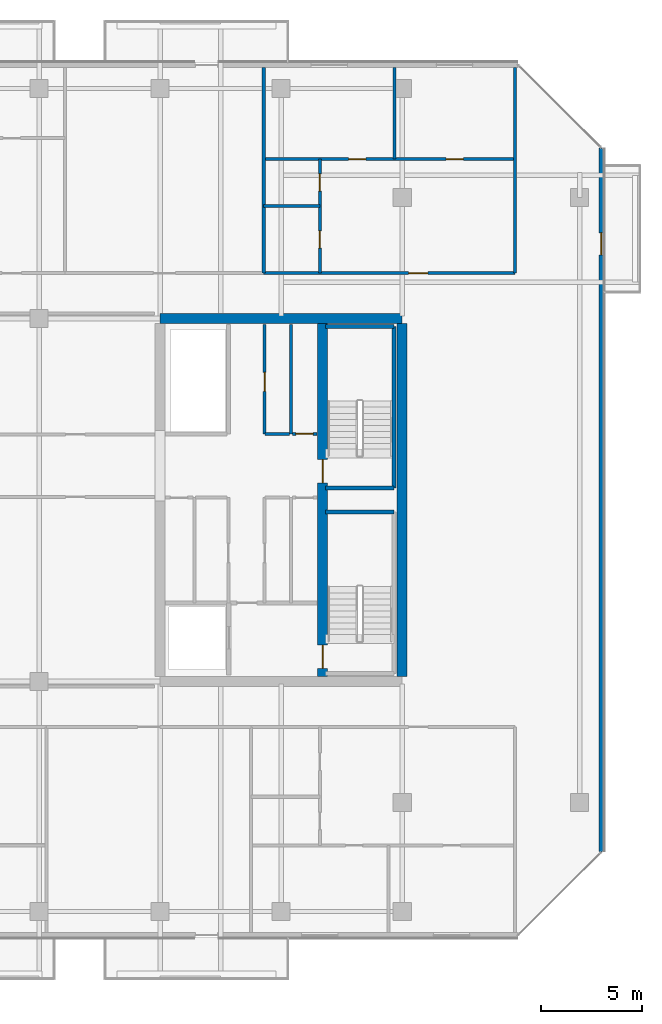
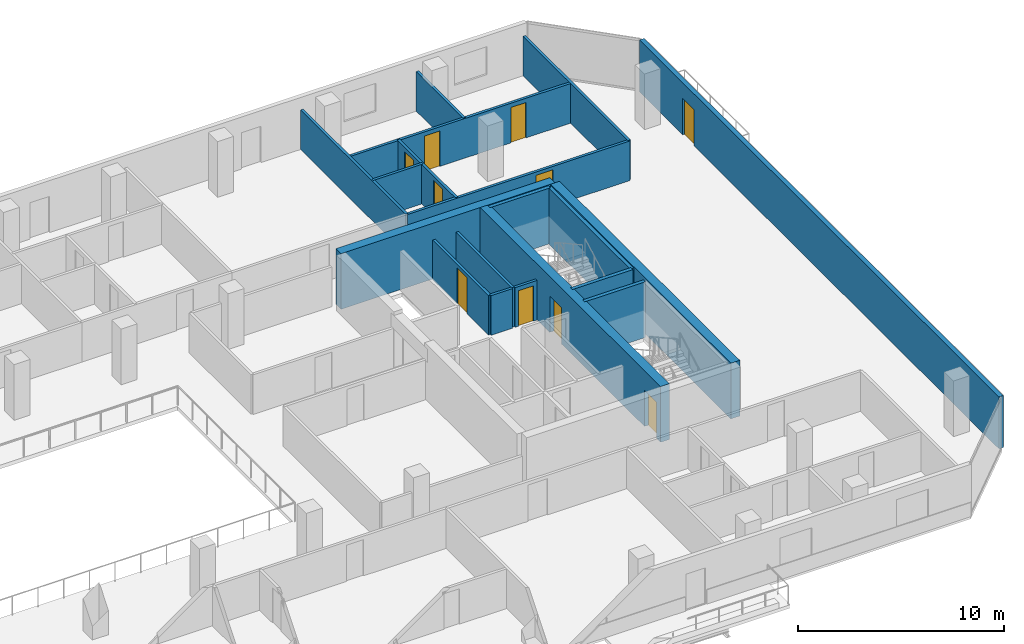
# One storey, part 24 of 29: 19 walls, 10 doors, 10 openings.
"""IFC4 building model written with IfcOpenShell, lengths in metres."""

import ifcopenshell
import ifcopenshell.guid

model = None  # the IFC model being written
_history = None  # IfcOwnerHistory: only IFC2X3 demands one
_inside = {}  # id of a spatial element -> (the spatial element, [elements in it])
_under = {}  # id of a project, library or spatial element -> (it, [spatial elements below it])
_declared = {}  # id of a project -> (the project, [libraries it declares])
_typed = {}  # id of a type object -> (the type object, [elements of that type])
_made_of = {}  # id of a material, layer set ... -> (it, [elements and type objects made of it])


def new_model(schema):
    """Start an empty IFC model of exactly this schema.

    Asked for "IFC4X3", IfcOpenShell would pick the latest addendum, in which some entities
    have other attributes; the version numbers below select the first issue.
    IFC2X3 requires an IfcOwnerHistory on every rooted entity: one is made here for all.
    """
    global model, _history
    if schema == "IFC4X3":
        model = ifcopenshell.file(schema_version=(4, 3, 0, 0))
    else:
        model = ifcopenshell.file(schema=schema)
    _inside.clear()
    _under.clear()
    _declared.clear()
    _typed.clear()
    _made_of.clear()
    _history = None
    if model.schema == "IFC2X3":
        org = make("IfcOrganization", Name="unknown")
        user = make(
            "IfcPersonAndOrganization",
            ThePerson=make("IfcPerson", FamilyName="unknown"),
            TheOrganization=org,
        )
        app = make(
            "IfcApplication",
            ApplicationDeveloper=org,
            Version="unknown",
            ApplicationFullName="unknown",
            ApplicationIdentifier="unknown",
        )
        _history = make(
            "IfcOwnerHistory",
            OwningUser=user,
            OwningApplication=app,
            ChangeAction="ADDED",
            CreationDate=0,
        )
    return model


def make(cls, **values):
    """One entity of the class cls with the attributes given. An attribute that is None is left unset."""
    return model.create_entity(
        cls, **{name: value for name, value in values.items() if value is not None}
    )


def rooted(cls, **values):
    """An entity with a GlobalId (a new one), such as an element, a storey or a relation."""
    return make(cls, GlobalId=ifcopenshell.guid.new(), OwnerHistory=_history, **values)


def si_unit(unit_type, name, prefix=None):
    """IfcSIUnit, for example si_unit("LENGTHUNIT", "METRE", prefix="MILLI")."""
    return make("IfcSIUnit", UnitType=unit_type, Prefix=prefix, Name=name)


def assignment(units):
    """IfcUnitAssignment: the units of a project."""
    return None if units is None else make("IfcUnitAssignment", Units=units)


def point(xyz):
    """IfcCartesianPoint."""
    return None if xyz is None else make("IfcCartesianPoint", Coordinates=xyz)


def direction(xyz):
    """IfcDirection."""
    return None if xyz is None else make("IfcDirection", DirectionRatios=xyz)


def frame(location, z_axis=None, x_axis=None):
    """IfcAxis2Placement3D, a coordinate frame: its origin and axes. An axis left out is left unset."""
    return make(
        "IfcAxis2Placement3D",
        Location=point(location),
        Axis=direction(z_axis),
        RefDirection=direction(x_axis),
    )


def frame_2d(location, x_axis=None):
    """IfcAxis2Placement2D, a coordinate frame in the plane: its origin and x axis."""
    return make(
        "IfcAxis2Placement2D", Location=point(location), RefDirection=direction(x_axis)
    )


def origin():
    """The frame at (0, 0, 0) with its axes left unset."""
    return frame((0.0, 0.0, 0.0))


def place(relative_to, where):
    """IfcLocalPlacement: puts the frame where relative to a parent placement (None: the world)."""
    return make(
        "IfcLocalPlacement", PlacementRelTo=relative_to, RelativePlacement=where
    )


def context(
    kind, dimensions, precision=None, world=None, true_north=None, identifier=None
):
    """IfcGeometricRepresentationContext, for example the 3D "Model" context."""
    return make(
        "IfcGeometricRepresentationContext",
        ContextIdentifier=identifier,
        ContextType=kind,
        CoordinateSpaceDimension=dimensions,
        Precision=precision,
        WorldCoordinateSystem=world,
        TrueNorth=true_north,
    )


def subcontext(parent, identifier, kind, view, scale=None):
    """IfcGeometricRepresentationSubContext, for example "Body" below "Model"."""
    return make(
        "IfcGeometricRepresentationSubContext",
        ContextIdentifier=identifier,
        ContextType=kind,
        ParentContext=parent,
        TargetScale=scale,
        TargetView=view,
    )


def project(units=None, contexts=None):
    """IfcProject with its units and contexts."""
    return rooted(
        "IfcProject",
        Name="project",
        RepresentationContexts=contexts,
        UnitsInContext=assignment(units),
    )


def spatial(cls, under=None, at=None, **own):
    """A site, building, storey or space (cls), placed at a placement, below another one or the project."""
    s = rooted(cls, ObjectPlacement=at, **own)
    if under is not None:
        _under.setdefault(under.id(), (under, []))[1].append(s)
    return s


def profile(cls, at=None, kind="AREA", **sizes):
    """A parametric profile (cls). Its sizes go by their IFC names, for example OverallWidth=200.0."""
    return make(cls, ProfileType=kind, Position=at, **sizes)


def rectangle(**sizes):
    """IfcRectangleProfileDef."""
    return profile("IfcRectangleProfileDef", **sizes)


def extrude(swept, where, along, depth):
    """IfcExtrudedAreaSolid: the profile swept, set in the frame where, extruded along a direction by depth."""
    return make(
        "IfcExtrudedAreaSolid",
        SweptArea=swept,
        Position=where,
        ExtrudedDirection=direction(along),
        Depth=depth,
    )


def shape(context_of_items, identifier, shape_type, items):
    """IfcShapeRepresentation: the items that make up one representation, for example the "Body"."""
    return make(
        "IfcShapeRepresentation",
        ContextOfItems=context_of_items,
        RepresentationIdentifier=identifier,
        RepresentationType=shape_type,
        Items=items,
    )


def material(Name=None, Category=None):
    """IfcMaterial."""
    return make("IfcMaterial", Name=Name, Category=Category)


def layer(
    of_material, thickness, ventilated=None, Name=None, Category=None, Priority=None
):
    """IfcMaterialLayer: one layer of a wall or slab, of a material (None: an air gap)."""
    return make(
        "IfcMaterialLayer",
        Material=of_material,
        LayerThickness=thickness,
        IsVentilated=ventilated,
        Name=Name,
        Category=Category,
        Priority=Priority,
    )


def layer_set(layers, Name=None):
    """IfcMaterialLayerSet."""
    return make("IfcMaterialLayerSet", MaterialLayers=layers, LayerSetName=Name)


def made_of(thing, what):
    """Note that an element or type object is made of a material, layer set ...; save() writes the relation."""
    if what is not None:
        _made_of.setdefault(what.id(), (what, []))[1].append(thing)
    return thing


def type_object(cls, material=None, **own):
    """A type object (cls), such as IfcWallType, which elements share."""
    return made_of(rooted(cls, **own), material)


def element(
    cls,
    number,
    at=None,
    inside=None,
    cuts=None,
    type_object=None,
    material=None,
    context=None,
    identifier="Body",
    shape_type=None,
    held_by="IfcProductDefinitionShape",
    body=None,
    shapes=None,
    **own,
):
    """One element of the class cls, such as IfcWall. Its Tag is "e" and its number.

    at: its placement. inside: the storey or other place that contains it. cuts: it is an
    opening in that element (IfcRelVoidsElement). A single representation is given by context,
    identifier, shape_type and body (its items); several are given by shapes. held_by: the class
    of the entity that holds the representations. save() writes the other relations.
    """
    e = rooted(cls, Tag="e%d" % number, ObjectPlacement=at, **own)
    if body is not None:
        shapes = [shape(context, identifier, shape_type, body)]
    if shapes is not None:
        e.Representation = make(held_by, Representations=shapes)
    if inside is not None:
        _inside.setdefault(inside.id(), (inside, []))[1].append(e)
    if cuts is not None:
        rooted(
            "IfcRelVoidsElement", RelatingBuildingElement=cuts, RelatedOpeningElement=e
        )
    if type_object is not None:
        _typed.setdefault(type_object.id(), (type_object, []))[1].append(e)
    return made_of(e, material)


def fill(opening, filler):
    """IfcRelFillsElement: the door or window that sits in an opening."""
    return rooted(
        "IfcRelFillsElement",
        RelatingOpeningElement=opening,
        RelatedBuildingElement=filler,
    )


def aggregate(whole, parts):
    """IfcRelAggregates: a whole, such as a stair, and the parts it consists of."""
    return rooted("IfcRelAggregates", RelatingObject=whole, RelatedObjects=parts)


def save(model, path):
    """Write the relations noted so far, then the file.

    IfcRelAggregates (storeys below a building ...), IfcRelContainedInSpatialStructure (elements
    in a storey), IfcRelDefinesByType, IfcRelAssociatesMaterial and IfcRelDeclares: one each for
    every whole, place, type object, material and project.
    """
    for whole, parts in _under.values():
        aggregate(whole, parts)
    for where, things in _inside.values():
        rooted(
            "IfcRelContainedInSpatialStructure",
            RelatedElements=things,
            RelatingStructure=where,
        )
    for kind, things in _typed.values():
        rooted("IfcRelDefinesByType", RelatedObjects=things, RelatingType=kind)
    for what, things in _made_of.values():
        rooted("IfcRelAssociatesMaterial", RelatedObjects=things, RelatingMaterial=what)
    for by, libraries in _declared.values():
        rooted("IfcRelDeclares", RelatingContext=by, RelatedDefinitions=libraries)
    model.write(path)


model = new_model("IFC4")

# Units and contexts
model_context = context("Model", 3, precision=1e-05, world=origin(), true_north=direction((0.0, 1.0)))
body_context = subcontext(model_context, "Body", "Model", "MODEL_VIEW")
ifc_project = project(units=[si_unit("LENGTHUNIT", "METRE"), si_unit("AREAUNIT", "SQUARE_METRE"), si_unit("VOLUMEUNIT", "CUBIC_METRE"), si_unit("PLANEANGLEUNIT", "RADIAN"), si_unit("MASSUNIT", "GRAM", prefix="KILO")], contexts=[model_context])

# Site, building, storey
site_placement = place(None, origin())
site = spatial("IfcSite", under=ifc_project, at=site_placement, CompositionType="ELEMENT")
building_placement = place(site_placement, origin())
building = spatial("IfcBuilding", under=site, at=building_placement, Name="Tanjung Sevakor Pilgrim Tower", CompositionType="ELEMENT")
storey_placement = place(building_placement, frame((0.0, 0.0, 151.800048828125)))
storey = spatial("IfcBuildingStorey", under=building, at=storey_placement, Name="L42", CompositionType="ELEMENT", Elevation=151.800048828125)

# Walls
ifc_material_1 = material(Name="Concrete C60/75", Category="concrete")
ifc_layer_1 = layer(ifc_material_1, 0.5)
ifc_layer_set_1 = layer_set([ifc_layer_1], Name="WALL-CW-500")
wall_type_1 = type_object("IfcWallType", Name="WALL-CW-500", PredefinedType="SHEAR", material=ifc_layer_set_1)
wall_1_placement = place(storey_placement, frame((90.0, 42.60009765625, 0.0), z_axis=(0.0, 0.0, 1.0), x_axis=(-1.0, 0.0, 0.0)))
element("IfcWall", 1, at=wall_1_placement, inside=storey, type_object=wall_type_1, Name="L42 E Core North Shear Wall", PredefinedType="SHEAR", context=body_context, shape_type="SweptSolid", body=[
    extrude(rectangle(XDim=12.0, YDim=0.5, at=frame_2d((6.0, 0.0))), origin(), (0.0, 0.0, 1.0), 3.300048828125),
])
wall_2_placement = place(storey_placement, frame((90.0, 24.85009765625, 0.0), z_axis=(0.0, 0.0, 1.0), x_axis=(0.0, 1.0, 0.0)))
element("IfcWall", 2, at=wall_2_placement, inside=storey, type_object=wall_type_1, Name="L42 E Core Outer Shear Wall", PredefinedType="SHEAR", context=body_context, shape_type="SweptSolid", body=[
    extrude(rectangle(XDim=17.5, YDim=0.5, at=frame_2d((8.75, 0.0))), origin(), (0.0, 0.0, 1.0), 3.300048828125),
])

# Wall, openings, doors
wall_3_placement = place(storey_placement, frame((86.050048828125, 24.85009765625, 0.0), z_axis=(0.0, 0.0, 1.0), x_axis=(0.0, 1.0, 0.0)))
wall_3 = element("IfcWall", 3, at=wall_3_placement, inside=storey, type_object=wall_type_1, Name="L42 E Core Stair Spine Wall", PredefinedType="SHEAR", context=body_context, shape_type="SweptSolid", body=[
    extrude(rectangle(XDim=17.5, YDim=0.5, at=frame_2d((8.75, 0.0))), origin(), (0.0, 0.0, 1.0), 3.300048828125),
])
opening_1_placement = place(wall_3_placement, frame((0.39990234375, 0.0, 0.0)))
opening_1 = element("IfcOpeningElement", 4, at=opening_1_placement, cuts=wall_3, Name="Opening ID-ST1", PredefinedType="OPENING", context=body_context, shape_type="SweptSolid", body=[
    extrude(rectangle(XDim=1.14990234375, YDim=2.14990234375, at=frame_2d((0.574951171875, 1.074951171875))), frame((0.0, 0.260009765625, 0.0), z_axis=(0.0, -1.0, 0.0), x_axis=(1.0, 0.0, 0.0)), (0.0, 0.0, 1.0), 0.52001953125),
])
opening_2_placement = place(wall_3_placement, frame((9.60009765625, 0.0, 0.0)))
opening_2 = element("IfcOpeningElement", 5, at=opening_2_placement, cuts=wall_3, Name="Opening ID-ST1", PredefinedType="OPENING", context=body_context, shape_type="SweptSolid", body=[
    extrude(rectangle(XDim=1.14990234375, YDim=2.14990234375, at=frame_2d((0.574951171875, 1.074951171875))), frame((0.0, 0.260009765625, 0.0), z_axis=(0.0, -1.0, 0.0), x_axis=(1.0, 0.0, 0.0)), (0.0, 0.0, 1.0), 0.52001953125),
])
ifc_material_2 = material(Name="Fire-Rated Steel S355J2", Category="steel")
door_type_1 = type_object("IfcDoorType", Name="DT-FIRE-1150", OperationType="NOTDEFINED", PredefinedType="DOOR", material=ifc_material_2)
door_1_placement = place(opening_1_placement, origin())
door_1 = element("IfcDoor", 6, at=door_1_placement, inside=storey, type_object=door_type_1, Name="L42 TS-E1 Stair Fire Door", OperationType="SINGLE_SWING_RIGHT", OverallHeight=2.14990234375, OverallWidth=1.14990234375, PredefinedType="DOOR", context=body_context, shape_type="SweptSolid", body=[
    extrude(rectangle(XDim=1.14990234375, YDim=2.14990234375, at=frame_2d((0.574951171875, 1.074951171875))), frame((0.0, 0.02490234375, 0.0), z_axis=(0.0, -1.0, 0.0), x_axis=(1.0, 0.0, 0.0)), (0.0, 0.0, 1.0), 0.050048828125),
])
fill(opening_1, door_1)
door_2_placement = place(opening_2_placement, origin())
door_2 = element("IfcDoor", 7, at=door_2_placement, inside=storey, type_object=door_type_1, Name="L42 TS-E2 Stair Fire Door", OperationType="SINGLE_SWING_LEFT", OverallHeight=2.14990234375, OverallWidth=1.14990234375, PredefinedType="DOOR", context=body_context, shape_type="SweptSolid", body=[
    extrude(rectangle(XDim=1.14990234375, YDim=2.14990234375, at=frame_2d((0.574951171875, 1.074951171875))), frame((0.0, 0.02490234375, 0.0), z_axis=(0.0, -1.0, 0.0), x_axis=(1.0, 0.0, 0.0)), (0.0, 0.0, 1.0), 0.050048828125),
])
fill(opening_2, door_2)

# Wall
ifc_material_3 = material(Name="Concrete C40/50", Category="concrete")
ifc_layer_2 = layer(ifc_material_3, 0.14990234375)
ifc_layer_set_2 = layer_set([ifc_layer_2], Name="WT-COMP-150")
wall_type_2 = type_object("IfcWallType", Name="WT-COMP-150", PredefinedType="SOLIDWALL", material=ifc_layer_set_2)
wall_4_placement = place(storey_placement, frame((84.47998046875, 36.8798828125, 0.0), z_axis=(0.0, 0.0, 1.0), x_axis=(0.0, 1.0, 0.0)))
element("IfcWall", 8, at=wall_4_placement, inside=storey, type_object=wall_type_2, Name="L42 Partition IW-L42-027", PredefinedType="SOLIDWALL", context=body_context, shape_type="SweptSolid", body=[
    extrude(rectangle(XDim=5.420166015625, YDim=0.14990234375, at=frame_2d((2.7099609375, 0.0))), origin(), (0.0, 0.0, 1.0), 2.35009765625),
])

# Wall, opening, door
wall_5_placement = place(storey_placement, frame((84.550048828125, 36.8798828125, 0.0), z_axis=(0.0, 0.0, 1.0), x_axis=(1.0, 0.0, 0.0)))
wall_5 = element("IfcWall", 9, at=wall_5_placement, inside=storey, type_object=wall_type_2, Name="L42 Partition IW-L42-028", PredefinedType="SOLIDWALL", context=body_context, shape_type="SweptSolid", body=[
    extrude(rectangle(XDim=1.22998046875, YDim=0.14990234375, at=frame_2d((0.614990234375, 0.0))), origin(), (0.0, 0.0, 1.0), 2.35009765625),
])
opening_3_placement = place(wall_5_placement, frame((0.179931640625, 0.0, 0.0)))
opening_3 = element("IfcOpeningElement", 10, at=opening_3_placement, cuts=wall_5, Name="Opening ID-FD3", PredefinedType="OPENING", context=body_context, shape_type="SweptSolid", body=[
    extrude(rectangle(XDim=0.85009765625, YDim=2.10009765625, at=frame_2d((0.425048828125, 1.050048828125))), frame((0.0, 0.0849609375, 0.0), z_axis=(0.0, -1.0, 0.0), x_axis=(1.0, 0.0, 0.0)), (0.0, 0.0, 1.0), 0.169921875),
])
ifc_material_4 = material(Name="Fire-Rated Timber", Category="wood")
door_type_2 = type_object("IfcDoorType", Name="DT-FIRE-850", OperationType="NOTDEFINED", PredefinedType="DOOR", material=ifc_material_4)
door_3_placement = place(opening_3_placement, origin())
door_3 = element("IfcDoor", 11, at=door_3_placement, inside=storey, type_object=door_type_2, Name="L42 Service Store Door", OperationType="SINGLE_SWING_LEFT", OverallHeight=2.10009765625, OverallWidth=0.85009765625, PredefinedType="DOOR", context=body_context, shape_type="SweptSolid", body=[
    extrude(rectangle(XDim=0.85009765625, YDim=2.10009765625, at=frame_2d((0.425048828125, 1.050048828125))), frame((0.0, 0.02490234375, 0.0), z_axis=(0.0, -1.0, 0.0), x_axis=(1.0, 0.0, 0.0)), (0.0, 0.0, 1.0), 0.050048828125),
])
fill(opening_3, door_3)

# Wall
wall_6_placement = place(storey_placement, frame((83.199951171875, 36.8798828125, 0.0), z_axis=(0.0, 0.0, 1.0), x_axis=(1.0, 0.0, 0.0)))
element("IfcWall", 12, at=wall_6_placement, inside=storey, type_object=wall_type_2, Name="L42 Partition IW-L42-029", PredefinedType="SOLIDWALL", context=body_context, shape_type="SweptSolid", body=[
    extrude(rectangle(XDim=1.219970703125, YDim=0.14990234375, at=frame_2d((0.60986328125, 0.0))), origin(), (0.0, 0.0, 1.0), 2.35009765625),
])

# Wall, opening, door
wall_7_placement = place(storey_placement, frame((83.179931640625, 36.8798828125, 0.0), z_axis=(0.0, 0.0, 1.0), x_axis=(0.0, 1.0, 0.0)))
wall_7 = element("IfcWall", 13, at=wall_7_placement, inside=storey, type_object=wall_type_2, Name="L42 Partition IW-L42-030", PredefinedType="SOLIDWALL", context=body_context, shape_type="SweptSolid", body=[
    extrude(rectangle(XDim=5.420166015625, YDim=0.14990234375, at=frame_2d((2.7099609375, 0.0))), origin(), (0.0, 0.0, 1.0), 2.35009765625),
])
opening_4_placement = place(wall_7_placement, frame((2.10009765625, 0.0, 0.0)))
opening_4 = element("IfcOpeningElement", 14, at=opening_4_placement, cuts=wall_7, Name="Opening ID-FD2", PredefinedType="OPENING", context=body_context, shape_type="SweptSolid", body=[
    extrude(rectangle(XDim=0.949951171875, YDim=2.14990234375, at=frame_2d((0.47509765625, 1.074951171875))), frame((0.0, 0.0849609375, 0.0), z_axis=(0.0, -1.0, 0.0), x_axis=(1.0, 0.0, 0.0)), (0.0, 0.0, 1.0), 0.169921875),
])
ifc_material_5 = material(Name="Fire-Rated Timber", Category="wood")
door_type_3 = type_object("IfcDoorType", Name="DT-FIRE-950", OperationType="NOTDEFINED", PredefinedType="DOOR", material=ifc_material_5)
door_4_placement = place(opening_4_placement, origin())
door_4 = element("IfcDoor", 15, at=door_4_placement, inside=storey, type_object=door_type_3, Name="L42 Core Reading Room Door", OperationType="SINGLE_SWING_RIGHT", OverallHeight=2.14990234375, OverallWidth=0.949951171875, PredefinedType="DOOR", context=body_context, shape_type="SweptSolid", body=[
    extrude(rectangle(XDim=0.949951171875, YDim=2.14990234375, at=frame_2d((0.47509765625, 1.074951171875))), frame((0.0, 0.02490234375, 0.0), z_axis=(0.0, -1.0, 0.0), x_axis=(1.0, 0.0, 0.0)), (0.0, 0.0, 1.0), 0.050048828125),
])
fill(opening_4, door_4)

# Walls
for number, where, z_axis, x_axis, name in (
    (16, (95.60009765625, 44.85009765625, 0.0), (0.0, 0.0, 1.0), (0.0, 1.0, 0.0), "L42 Partition IW-L42-089"),
    (17, (83.1357421875, 44.85009765625, 0.0), (0.0, 0.0, 1.0), (0.0, 1.0, 0.0), "L42 Partition IW-L42-101"),
):
    element("IfcWall", number, at=place(storey_placement, frame(where, z_axis=z_axis, x_axis=x_axis)), inside=storey, type_object=wall_type_2, Name=name, PredefinedType="SOLIDWALL", context=body_context, shape_type="SweptSolid", body=[
        extrude(rectangle(XDim=10.199951171875, YDim=0.14990234375, at=frame_2d((5.10009765625, 0.0))), origin(), (0.0, 0.0, 1.0), 2.35009765625),
    ])

# Wall, opening, door
wall_8_placement = place(storey_placement, frame((83.1357421875, 44.85009765625, 0.0), z_axis=(0.0, 0.0, 1.0), x_axis=(1.0, 0.0, 0.0)))
wall_8 = element("IfcWall", 18, at=wall_8_placement, inside=storey, type_object=wall_type_2, Name="L42 Partition IW-L42-107", PredefinedType="SOLIDWALL", context=body_context, shape_type="SweptSolid", body=[
    extrude(rectangle(XDim=12.46435546875, YDim=0.14990234375, at=frame_2d((6.232177734375, 0.0))), origin(), (0.0, 0.0, 1.0), 2.35009765625),
])
opening_5_placement = place(wall_8_placement, frame((7.189208984375, 0.0, 0.0)))
opening_5 = element("IfcOpeningElement", 19, at=opening_5_placement, cuts=wall_8, Name="Opening ID-FD2", PredefinedType="OPENING", context=body_context, shape_type="SweptSolid", body=[
    extrude(rectangle(XDim=0.949951171875, YDim=2.14990234375, at=frame_2d((0.47509765625, 1.074951171875))), frame((0.0, 0.0849609375, 0.0), z_axis=(0.0, -1.0, 0.0), x_axis=(1.0, 0.0, 0.0)), (0.0, 0.0, 1.0), 0.169921875),
])
door_5_placement = place(opening_5_placement, origin())
door_5 = element("IfcDoor", 20, at=door_5_placement, inside=storey, type_object=door_type_3, Name="Suite Entrance", OperationType="SINGLE_SWING_LEFT", OverallHeight=2.14990234375, OverallWidth=0.949951171875, PredefinedType="DOOR", context=body_context, shape_type="SweptSolid", body=[
    extrude(rectangle(XDim=0.949951171875, YDim=2.14990234375, at=frame_2d((0.47509765625, 1.074951171875))), frame((0.0, 0.02490234375, 0.0), z_axis=(0.0, -1.0, 0.0), x_axis=(1.0, 0.0, 0.0)), (0.0, 0.0, 1.0), 0.050048828125),
])
fill(opening_5, door_5)

ifc_material_6 = material(Name="Precast concrete C45/55", Category="concrete")
ifc_layer_3 = layer(ifc_material_6, 0.25)
ifc_layer_set_3 = layer_set([ifc_layer_3], Name="WT-EW-STN3")
wall_type_3 = type_object("IfcWallType", Name="WT-EW-STN3", PredefinedType="SOLIDWALL", material=ifc_layer_set_3)
wall_9_placement = place(storey_placement, frame((99.875, 16.15185546875, 0.0), z_axis=(0.0, 0.0, 1.0), x_axis=(0.0, 1.0, 0.0)))
wall_9 = element("IfcWall", 21, at=wall_9_placement, inside=storey, type_object=wall_type_3, Name="L42 MAIN Exterior Wall 7", PredefinedType="SOLIDWALL", context=body_context, shape_type="SweptSolid", body=[
    extrude(rectangle(XDim=34.896240234375, YDim=0.25, at=frame_2d((17.4482421875, 0.0))), origin(), (0.0, 0.0, 1.0), 3.080078125),
])
opening_6_placement = place(wall_9_placement, frame((29.59814453125, 0.0, 0.0)))
opening_6 = element("IfcOpeningElement", 22, at=opening_6_placement, cuts=wall_9, Name="Opening ED-BAL-1100", PredefinedType="OPENING", context=body_context, shape_type="SweptSolid", body=[
    extrude(rectangle(XDim=1.10009765625, YDim=2.14990234375, at=frame_2d((0.550048828125, 1.074951171875))), frame((0.0, 0.135009765625, 0.0), z_axis=(0.0, -1.0, 0.0), x_axis=(1.0, 0.0, 0.0)), (0.0, 0.0, 1.0), 0.27001953125),
])
ifc_material_7 = material(Name="Anodised Aluminium and Laminated Glass", Category="aluminium")
door_type_4 = type_object("IfcDoorType", Name="DTYP-ED-BAL-1100", OperationType="NOTDEFINED", PredefinedType="DOOR", material=ifc_material_7)
door_6_placement = place(opening_6_placement, frame((1.10009765625, 0.0, 0.0), z_axis=(0.0, 0.0, 1.0), x_axis=(-1.0, 0.0, 0.0)))
door_6 = element("IfcDoor", 23, at=door_6_placement, inside=storey, type_object=door_type_4, Name="L42 East Loggia Door MAIN-E1", OperationType="SINGLE_SWING_LEFT", OverallHeight=2.14990234375, OverallWidth=1.10009765625, PredefinedType="DOOR", context=body_context, shape_type="SweptSolid", body=[
    extrude(rectangle(XDim=1.10009765625, YDim=2.14990234375, at=frame_2d((0.550048828125, 1.074951171875))), frame((0.0, 0.02490234375, 0.0), z_axis=(0.0, -1.0, 0.0), x_axis=(1.0, 0.0, 0.0)), (0.0, 0.0, 1.0), 0.050048828125),
])
fill(opening_6, door_6)

# Walls
ifc_material_8 = material(Name="Concrete C40/50", Category="concrete")
ifc_layer_4 = layer(ifc_material_8, 0.199951171875)
ifc_layer_set_4 = layer_set([ifc_layer_4], Name="WT-FIRE-200")
wall_type_4 = type_object("IfcWallType", Name="WT-FIRE-200", PredefinedType="SOLIDWALL", material=ifc_layer_set_4)
for number, where, z_axis, x_axis, name in (
    (24, (89.60009765625, 33.0, 0.0), (0.0, 0.0, 1.0), (-1.0, 0.0, 0.0), "L42 TS-E1 Shaft Wall 3"),
    (25, (86.199951171875, 34.199951171875, 0.0), (0.0, 0.0, 1.0), (1.0, 0.0, 0.0), "L42 TS-E2 Shaft Wall 1"),
):
    element("IfcWall", number, at=place(storey_placement, frame(where, z_axis=z_axis, x_axis=x_axis)), inside=storey, type_object=wall_type_4, Name=name, PredefinedType="SOLIDWALL", context=body_context, shape_type="SweptSolid", body=[
        extrude(rectangle(XDim=3.400146484375, YDim=0.199951171875, at=frame_2d((1.7001953125, 0.0))), origin(), (0.0, 0.0, 1.0), 3.300048828125),
    ])
wall_10_placement = place(storey_placement, frame((89.60009765625, 34.199951171875, 0.0), z_axis=(0.0, 0.0, 1.0), x_axis=(0.0, 1.0, 0.0)))
element("IfcWall", 26, at=wall_10_placement, inside=storey, type_object=wall_type_4, Name="L42 TS-E2 Shaft Wall 2", PredefinedType="SOLIDWALL", context=body_context, shape_type="SweptSolid", body=[
    extrude(rectangle(XDim=8.0, YDim=0.199951171875, at=frame_2d((4.0, 0.0))), origin(), (0.0, 0.0, 1.0), 3.300048828125),
])
wall_11_placement = place(storey_placement, frame((89.60009765625, 42.199951171875, 0.0), z_axis=(0.0, 0.0, 1.0), x_axis=(-1.0, 0.0, 0.0)))
element("IfcWall", 27, at=wall_11_placement, inside=storey, type_object=wall_type_4, Name="L42 TS-E2 Shaft Wall 3", PredefinedType="SOLIDWALL", context=body_context, shape_type="SweptSolid", body=[
    extrude(rectangle(XDim=3.400146484375, YDim=0.199951171875, at=frame_2d((1.7001953125, 0.0))), origin(), (0.0, 0.0, 1.0), 3.300048828125),
])
ifc_material_9 = material(Name="Gypsum Board Partition", Category="gypsum board")
ifc_layer_5 = layer(ifc_material_9, 0.14990234375)
ifc_layer_set_5 = layer_set([ifc_layer_5], Name="WT-PART-150")
wall_type_5 = type_object("IfcWallType", Name="WT-PART-150", PredefinedType="PARTITIONING", material=ifc_layer_set_5)
wall_12_placement = place(storey_placement, frame((83.1357421875, 48.1826171875, 0.0), z_axis=(0.0, 0.0, 1.0), x_axis=(1.0, 0.0, 0.0)))
element("IfcWall", 28, at=wall_12_placement, inside=storey, type_object=wall_type_5, Name="L42 Partition IW-L42-103", PredefinedType="PARTITIONING", context=body_context, shape_type="SweptSolid", body=[
    extrude(rectangle(XDim=2.7841796875, YDim=0.14990234375, at=frame_2d((1.39208984375, 0.0))), origin(), (0.0, 0.0, 1.0), 2.35009765625),
])

# Wall, openings, doors
wall_13_placement = place(storey_placement, frame((85.919921875, 44.85009765625, 0.0), z_axis=(0.0, 0.0, 1.0), x_axis=(0.0, 1.0, 0.0)))
wall_13 = element("IfcWall", 29, at=wall_13_placement, inside=storey, type_object=wall_type_5, Name="L42 Partition IW-L42-104", PredefinedType="PARTITIONING", context=body_context, shape_type="SweptSolid", body=[
    extrude(rectangle(XDim=5.6484375, YDim=0.14990234375, at=frame_2d((2.82421875, 0.0))), origin(), (0.0, 0.0, 1.0), 2.35009765625),
])
opening_7_placement = place(wall_13_placement, frame((1.2412109375, 0.0, 0.0)))
opening_7 = element("IfcOpeningElement", 30, at=opening_7_placement, cuts=wall_13, Name="Opening ID-WC1", PredefinedType="OPENING", context=body_context, shape_type="SweptSolid", body=[
    extrude(rectangle(XDim=0.85009765625, YDim=2.10009765625, at=frame_2d((0.425048828125, 1.050048828125))), frame((0.0, 0.0849609375, 0.0), z_axis=(0.0, -1.0, 0.0), x_axis=(1.0, 0.0, 0.0)), (0.0, 0.0, 1.0), 0.169921875),
])
opening_8_placement = place(wall_13_placement, frame((4.0654296875, 0.0, 0.0)))
opening_8 = element("IfcOpeningElement", 31, at=opening_8_placement, cuts=wall_13, Name="Opening ID-WC1", PredefinedType="OPENING", context=body_context, shape_type="SweptSolid", body=[
    extrude(rectangle(XDim=0.85009765625, YDim=2.10009765625, at=frame_2d((0.425048828125, 1.050048828125))), frame((0.0, 0.0849609375, 0.0), z_axis=(0.0, -1.0, 0.0), x_axis=(1.0, 0.0, 0.0)), (0.0, 0.0, 1.0), 0.169921875),
])
ifc_material_10 = material(Name="Moisture-Resistant Timber", Category="wood")
door_type_5 = type_object("IfcDoorType", Name="DT-INT-850", OperationType="NOTDEFINED", PredefinedType="DOOR", material=ifc_material_10)
door_7_placement = place(opening_7_placement, origin())
door_7 = element("IfcDoor", 32, at=door_7_placement, inside=storey, type_object=door_type_5, Name="Suite Kitchenette Door", OperationType="SINGLE_SWING_LEFT", OverallHeight=2.10009765625, OverallWidth=0.85009765625, PredefinedType="DOOR", context=body_context, shape_type="SweptSolid", body=[
    extrude(rectangle(XDim=0.85009765625, YDim=2.10009765625, at=frame_2d((0.425048828125, 1.050048828125))), frame((0.0, 0.02490234375, 0.0), z_axis=(0.0, -1.0, 0.0), x_axis=(1.0, 0.0, 0.0)), (0.0, 0.0, 1.0), 0.050048828125),
])
fill(opening_7, door_7)
door_8_placement = place(opening_8_placement, origin())
door_8 = element("IfcDoor", 33, at=door_8_placement, inside=storey, type_object=door_type_5, Name="Suite Bathroom Door", OperationType="SINGLE_SWING_RIGHT", OverallHeight=2.10009765625, OverallWidth=0.85009765625, PredefinedType="DOOR", context=body_context, shape_type="SweptSolid", body=[
    extrude(rectangle(XDim=0.85009765625, YDim=2.10009765625, at=frame_2d((0.425048828125, 1.050048828125))), frame((0.0, 0.02490234375, 0.0), z_axis=(0.0, -1.0, 0.0), x_axis=(1.0, 0.0, 0.0)), (0.0, 0.0, 1.0), 0.050048828125),
])
fill(opening_8, door_8)

# Wall
wall_14_placement = place(storey_placement, frame((89.6171875, 50.49853515625, 0.0), z_axis=(0.0, 0.0, 1.0), x_axis=(0.0, 1.0, 0.0)))
element("IfcWall", 34, at=wall_14_placement, inside=storey, type_object=wall_type_5, Name="L42 Partition IW-L42-105", PredefinedType="PARTITIONING", context=body_context, shape_type="SweptSolid", body=[
    extrude(rectangle(XDim=4.551513671875, YDim=0.14990234375, at=frame_2d((2.27587890625, 0.0))), origin(), (0.0, 0.0, 1.0), 2.35009765625),
])

# Wall, openings, doors
wall_15_placement = place(storey_placement, frame((83.1357421875, 50.49853515625, 0.0), z_axis=(0.0, 0.0, 1.0), x_axis=(1.0, 0.0, 0.0)))
wall_15 = element("IfcWall", 35, at=wall_15_placement, inside=storey, type_object=wall_type_5, Name="L42 Partition IW-L42-106", PredefinedType="PARTITIONING", context=body_context, shape_type="SweptSolid", body=[
    extrude(rectangle(XDim=12.46435546875, YDim=0.14990234375, at=frame_2d((6.232177734375, 0.0))), origin(), (0.0, 0.0, 1.0), 2.35009765625),
])
opening_9_placement = place(wall_15_placement, frame((4.2080078125, 0.0, 0.0)))
opening_9 = element("IfcOpeningElement", 36, at=opening_9_placement, cuts=wall_15, Name="Opening ID-WC1", PredefinedType="OPENING", context=body_context, shape_type="SweptSolid", body=[
    extrude(rectangle(XDim=0.85009765625, YDim=2.10009765625, at=frame_2d((0.425048828125, 1.050048828125))), frame((0.0, 0.0849609375, 0.0), z_axis=(0.0, -1.0, 0.0), x_axis=(1.0, 0.0, 0.0)), (0.0, 0.0, 1.0), 0.169921875),
])
opening_10_placement = place(wall_15_placement, frame((9.0478515625, 0.0, 0.0)))
opening_10 = element("IfcOpeningElement", 37, at=opening_10_placement, cuts=wall_15, Name="Opening ID-WC1", PredefinedType="OPENING", context=body_context, shape_type="SweptSolid", body=[
    extrude(rectangle(XDim=0.85009765625, YDim=2.10009765625, at=frame_2d((0.425048828125, 1.050048828125))), frame((0.0, 0.0849609375, 0.0), z_axis=(0.0, -1.0, 0.0), x_axis=(1.0, 0.0, 0.0)), (0.0, 0.0, 1.0), 0.169921875),
])
door_9_placement = place(opening_9_placement, origin())
door_9 = element("IfcDoor", 38, at=door_9_placement, inside=storey, type_object=door_type_5, Name="Suite Bedroom 1 Door", OperationType="SINGLE_SWING_LEFT", OverallHeight=2.10009765625, OverallWidth=0.85009765625, PredefinedType="DOOR", context=body_context, shape_type="SweptSolid", body=[
    extrude(rectangle(XDim=0.85009765625, YDim=2.10009765625, at=frame_2d((0.425048828125, 1.050048828125))), frame((0.0, 0.02490234375, 0.0), z_axis=(0.0, -1.0, 0.0), x_axis=(1.0, 0.0, 0.0)), (0.0, 0.0, 1.0), 0.050048828125),
])
fill(opening_9, door_9)
door_10_placement = place(opening_10_placement, origin())
door_10 = element("IfcDoor", 39, at=door_10_placement, inside=storey, type_object=door_type_5, Name="Suite Bedroom 2 Door", OperationType="SINGLE_SWING_RIGHT", OverallHeight=2.10009765625, OverallWidth=0.85009765625, PredefinedType="DOOR", context=body_context, shape_type="SweptSolid", body=[
    extrude(rectangle(XDim=0.85009765625, YDim=2.10009765625, at=frame_2d((0.425048828125, 1.050048828125))), frame((0.0, 0.02490234375, 0.0), z_axis=(0.0, -1.0, 0.0), x_axis=(1.0, 0.0, 0.0)), (0.0, 0.0, 1.0), 0.050048828125),
])
fill(opening_10, door_10)

save(model, "model.ifc")
